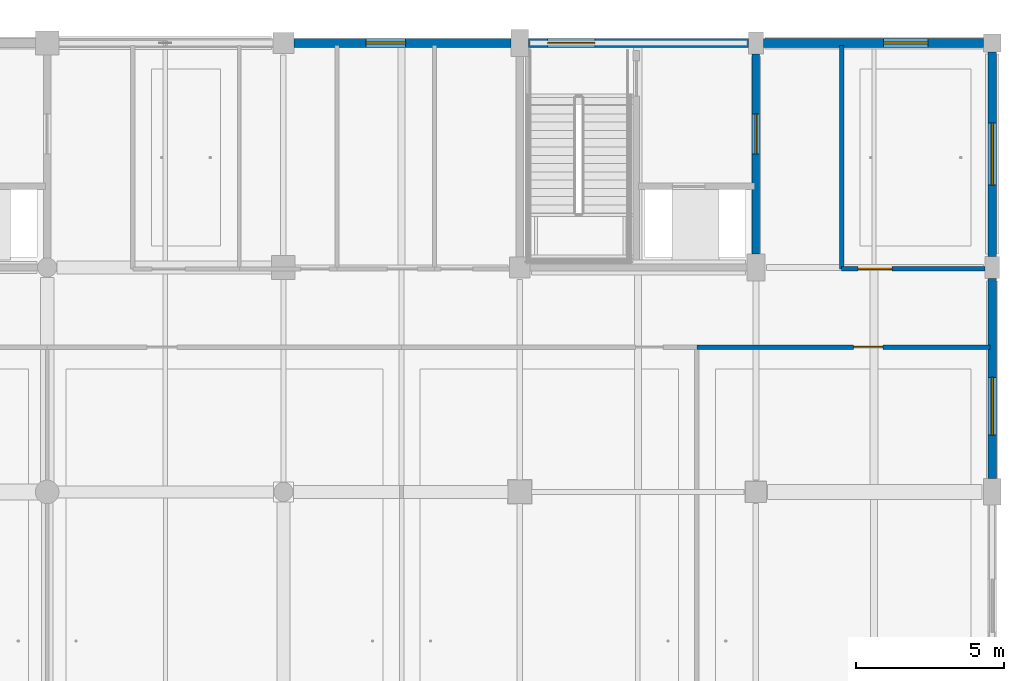
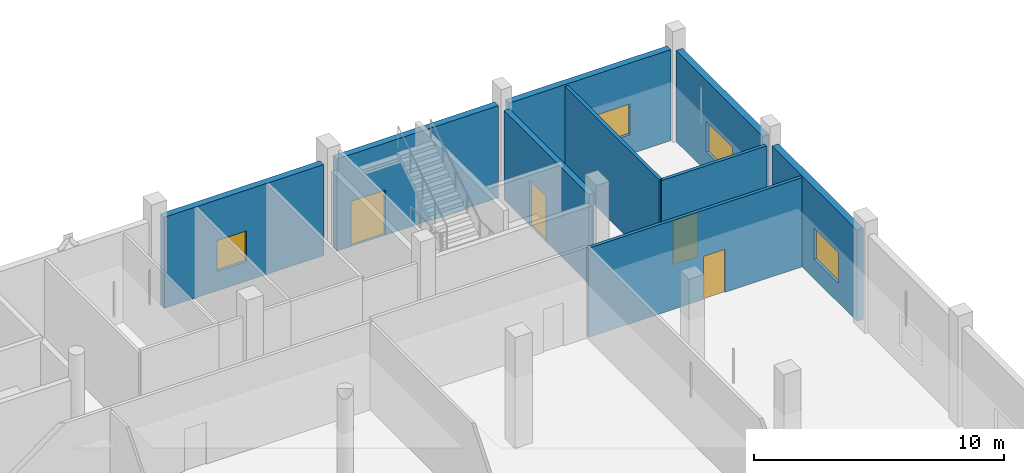
# One storey, part 71 of 126: 9 walls, 4 doors, 4 windows, 8 openings.
"""IFC4 building model written with IfcOpenShell, lengths in metres."""

from ifc_helpers import new_model, si_unit, direction, frame, frame_2d, origin, place, context, subcontext, project, spatial, rectangle, extrude, material, layer, layer_set, type_object, element, fill, save


model = new_model("IFC4")

# Units and contexts
model_context = context("Model", 3, precision=1e-05, world=origin(), true_north=direction((0.0, 1.0)))
body_context = subcontext(model_context, "Body", "Model", "MODEL_VIEW")
ifc_project = project(units=[si_unit("LENGTHUNIT", "METRE"), si_unit("AREAUNIT", "SQUARE_METRE"), si_unit("VOLUMEUNIT", "CUBIC_METRE"), si_unit("PLANEANGLEUNIT", "RADIAN"), si_unit("MASSUNIT", "GRAM", prefix="KILO")], contexts=[model_context])

# Site, building, storey
site_placement = place(None, origin())
site = spatial("IfcSite", under=ifc_project, at=site_placement, CompositionType="ELEMENT")
building_placement = place(site_placement, origin())
building = spatial("IfcBuilding", under=site, at=building_placement, Name="Khelvaren Railside Concert Hall", CompositionType="ELEMENT")
storey_placement = place(building_placement, origin())
storey = spatial("IfcBuildingStorey", under=building, at=storey_placement, Name="L00", CompositionType="ELEMENT", Elevation=0.0)

# Wall, opening, door
ifc_material_1 = material(Name="Concrete C40/50", Category="concrete")
ifc_layer_1 = layer(ifc_material_1, 0.25)
ifc_layer_set_1 = layer_set([ifc_layer_1], Name="Concrete C40/50")
wall_type_1 = type_object("IfcWallType", Name="CW82", PredefinedType="SOLIDWALL", material=ifc_layer_set_1)
wall_1_placement = place(storey_placement, frame((176.0, 106.85009765625, 0.0), z_axis=(0.0, 0.0, 1.0), x_axis=(0.0, 1.0, 0.0)))
wall_1 = element("IfcWall", 1, at=wall_1_placement, inside=storey, type_object=wall_type_1, Name="Core Enclosure Wall CWALL-ST-10-L00-E", PredefinedType="SOLIDWALL", context=body_context, shape_type="SweptSolid", body=[
    extrude(rectangle(XDim=6.77490234375, YDim=0.25, at=frame_2d((3.387451171875, 0.0))), origin(), (0.0, 0.0, 1.0), 4.35009765625),
])
opening_1_placement = place(wall_1_placement, frame((3.39990234375, 0.0, 0.0)))
opening_1 = element("IfcOpeningElement", 2, at=opening_1_placement, cuts=wall_1, Name="Opening FDR34", PredefinedType="OPENING", context=body_context, shape_type="SweptSolid", body=[
    extrude(rectangle(XDim=1.35009765625, YDim=2.199951171875, at=frame_2d((0.675048828125, 1.10009765625))), frame((0.0, 0.135009765625, 0.0), z_axis=(0.0, -1.0, 0.0), x_axis=(1.0, 0.0, 0.0)), (0.0, 0.0, 1.0), 0.27001953125),
])
ifc_material_2 = material(Name="Acoustic fire-rated timber-core steel frame door", Category="steel")
door_type_1 = type_object("IfcDoorType", Name="FDR34", OperationType="NOTDEFINED", PredefinedType="DOOR", material=ifc_material_2)
door_1_placement = place(opening_1_placement, origin())
door_1 = element("IfcDoor", 3, at=door_1_placement, inside=storey, type_object=door_type_1, Name="Interior Door DR-ST-10-L00-LOB", OperationType="SINGLE_SWING_LEFT", OverallHeight=2.199951171875, OverallWidth=1.35009765625, PredefinedType="DOOR", context=body_context, shape_type="SweptSolid", body=[
    extrude(rectangle(XDim=1.35009765625, YDim=2.199951171875, at=frame_2d((0.675048828125, 1.10009765625))), frame((0.0, 0.02490234375, 0.0), z_axis=(0.0, -1.0, 0.0), x_axis=(1.0, 0.0, 0.0)), (0.0, 0.0, 1.0), 0.050048828125),
])
fill(opening_1, door_1)

# Wall, opening, window
ifc_material_3 = material(Name="Board-marked architectural concrete C40/50", Category="concrete")
ifc_layer_2 = layer(ifc_material_3, 0.300048828125)
ifc_layer_set_2 = layer_set([ifc_layer_2], Name="Board-marked architectural concrete C40/50")
wall_type_2 = type_object("IfcWallType", Name="EW54", PredefinedType="SOLIDWALL", material=ifc_layer_set_2)
wall_2_placement = place(storey_placement, frame((160.35009765625, 114.0, 0.0), z_axis=(0.0, 0.0, 1.0), x_axis=(1.0, 0.0, 0.0)))
wall_2 = element("IfcWall", 4, at=wall_2_placement, inside=storey, type_object=wall_type_2, Name="V5 L00 Exterior Concrete Wall N-160", PredefinedType="SOLIDWALL", context=body_context, shape_type="SweptSolid", body=[
    extrude(rectangle(XDim=7.349853515625, YDim=0.300048828125, at=frame_2d((3.6748046875, 0.0))), origin(), (0.0, 0.0, 1.0), 4.43994140625),
])
opening_2_placement = place(wall_2_placement, frame((2.4384765625, 0.0, 0.949951171875)))
opening_2 = element("IfcOpeningElement", 5, at=opening_2_placement, cuts=wall_2, Name="Opening WN88", PredefinedType="OPENING", context=body_context, shape_type="SweptSolid", body=[
    extrude(rectangle(XDim=1.35009765625, YDim=1.5, at=frame_2d((0.675048828125, 0.75))), frame((0.0, 0.159912109375, 0.0), z_axis=(0.0, -1.0, 0.0), x_axis=(1.0, 0.0, 0.0)), (0.0, 0.0, 1.0), 0.320068359375),
])
ifc_material_4 = material(Name="Triple-glazed acoustic aluminium window", Category="aluminium")
window_type_1 = type_object("IfcWindowType", Name="WN88", PartitioningType="SINGLE_PANEL", PredefinedType="WINDOW", material=ifc_material_4)
window_1_placement = place(opening_2_placement, origin())
window_1 = element("IfcWindow", 6, at=window_1_placement, inside=storey, type_object=window_type_1, Name="Acoustic Facade Window EW-V5-L00-N-160", OverallHeight=1.5, OverallWidth=1.35009765625, PartitioningType="SINGLE_PANEL", PredefinedType="WINDOW", context=body_context, shape_type="SweptSolid", body=[
    extrude(rectangle(XDim=1.35009765625, YDim=1.5, at=frame_2d((0.675048828125, 0.75))), frame((0.0, 0.030029296875, 0.0), z_axis=(0.0, -1.0, 0.0), x_axis=(1.0, 0.0, 0.0)), (0.0, 0.0, 1.0), 0.06005859375),
])
fill(opening_2, window_1)

# Wall, opening, door
wall_3_placement = place(storey_placement, frame((168.300048828125, 114.0, 0.0), z_axis=(0.0, 0.0, 1.0), x_axis=(1.0, 0.0, 0.0)))
wall_3 = element("IfcWall", 7, at=wall_3_placement, inside=storey, type_object=wall_type_2, Name="V5 L00 Exterior Concrete Wall N-168", PredefinedType="SOLIDWALL", context=body_context, shape_type="SweptSolid", body=[
    extrude(rectangle(XDim=7.449951171875, YDim=0.300048828125, at=frame_2d((3.72509765625, 0.0))), origin(), (0.0, 0.0, 1.0), 4.489990234375),
])
opening_3_placement = place(wall_3_placement, frame((0.64990234375, 0.0, 0.0)))
opening_3 = element("IfcOpeningElement", 8, at=opening_3_placement, cuts=wall_3, Name="Opening E-ST10", PredefinedType="OPENING", context=body_context, shape_type="SweptSolid", body=[
    extrude(rectangle(XDim=1.60009765625, YDim=2.199951171875, at=frame_2d((0.800048828125, 1.10009765625))), frame((0.0, 0.159912109375, 0.0), z_axis=(0.0, -1.0, 0.0), x_axis=(1.0, 0.0, 0.0)), (0.0, 0.0, 1.0), 0.320068359375),
])
ifc_material_5 = material(Name="Acoustic thermally broken steel exit door", Category="steel")
door_type_2 = type_object("IfcDoorType", Name="EDR80", OperationType="NOTDEFINED", PredefinedType="DOOR", material=ifc_material_5)
door_2_placement = place(opening_3_placement, origin())
door_2 = element("IfcDoor", 9, at=door_2_placement, inside=storey, type_object=door_type_2, Name="Final Stair Exit Door E-ST10", OperationType="SINGLE_SWING_LEFT", OverallHeight=2.199951171875, OverallWidth=1.60009765625, PredefinedType="DOOR", context=body_context, shape_type="SweptSolid", body=[
    extrude(rectangle(XDim=1.60009765625, YDim=2.199951171875, at=frame_2d((0.800048828125, 1.10009765625))), frame((0.0, 0.02490234375, 0.0), z_axis=(0.0, -1.0, 0.0), x_axis=(1.0, 0.0, 0.0)), (0.0, 0.0, 1.0), 0.050048828125),
])
fill(opening_3, door_2)

# Wall, opening, window
wall_4_placement = place(storey_placement, frame((176.25, 114.0, 0.0), z_axis=(0.0, 0.0, 1.0), x_axis=(1.0, 0.0, 0.0)))
wall_4 = element("IfcWall", 10, at=wall_4_placement, inside=storey, type_object=wall_type_2, Name="V5 L00 Exterior Concrete Wall N-176", PredefinedType="SOLIDWALL", context=body_context, shape_type="SweptSolid", body=[
    extrude(rectangle(XDim=7.449951171875, YDim=0.300048828125, at=frame_2d((3.72509765625, 0.0))), origin(), (0.0, 0.0, 1.0), 4.43994140625),
])
opening_4_placement = place(wall_4_placement, frame((4.074951171875, 0.0, 0.949951171875)))
opening_4 = element("IfcOpeningElement", 11, at=opening_4_placement, cuts=wall_4, Name="Opening WN83", PredefinedType="OPENING", context=body_context, shape_type="SweptSolid", body=[
    extrude(rectangle(XDim=1.5, YDim=1.5, at=frame_2d((0.75, 0.75))), frame((0.0, 0.159912109375, 0.0), z_axis=(0.0, -1.0, 0.0), x_axis=(1.0, 0.0, 0.0)), (0.0, 0.0, 1.0), 0.320068359375),
])
window_type_2 = type_object("IfcWindowType", Name="WN83", PartitioningType="SINGLE_PANEL", PredefinedType="WINDOW", material=ifc_material_4)
window_2_placement = place(opening_4_placement, origin())
window_2 = element("IfcWindow", 12, at=window_2_placement, inside=storey, type_object=window_type_2, Name="Acoustic Facade Window EW-V5-L00-N-176", OverallHeight=1.5, OverallWidth=1.5, PartitioningType="SINGLE_PANEL", PredefinedType="WINDOW", context=body_context, shape_type="SweptSolid", body=[
    extrude(rectangle(XDim=1.5, YDim=1.5, at=frame_2d((0.75, 0.75))), frame((0.0, 0.030029296875, 0.0), z_axis=(0.0, -1.0, 0.0), x_axis=(1.0, 0.0, 0.0)), (0.0, 0.0, 1.0), 0.06005859375),
])
fill(opening_4, window_2)

wall_5_placement = place(storey_placement, frame((184.0, 106.02490234375, 0.0), z_axis=(0.0, 0.0, 1.0), x_axis=(0.0, -1.0, 0.0)))
wall_5 = element("IfcWall", 13, at=wall_5_placement, inside=storey, type_object=wall_type_2, Name="V5 L00 Exterior Concrete Wall E-99", PredefinedType="SOLIDWALL", context=body_context, shape_type="SweptSolid", body=[
    extrude(rectangle(XDim=6.77490234375, YDim=0.300048828125, at=frame_2d((3.387451171875, 0.0))), origin(), (0.0, 0.0, 1.0), 4.43994140625),
])
opening_5_placement = place(wall_5_placement, frame((3.35009765625, 0.0, 0.949951171875)))
opening_5 = element("IfcOpeningElement", 14, at=opening_5_placement, cuts=wall_5, Name="Opening WN74", PredefinedType="OPENING", context=body_context, shape_type="SweptSolid", body=[
    extrude(rectangle(XDim=1.949951171875, YDim=1.5, at=frame_2d((0.97509765625, 0.75))), frame((0.0, 0.159912109375, 0.0), z_axis=(0.0, -1.0, 0.0), x_axis=(1.0, 0.0, 0.0)), (0.0, 0.0, 1.0), 0.320068359375),
])
window_type_3 = type_object("IfcWindowType", Name="WN74", PartitioningType="DOUBLE_PANEL_VERTICAL", PredefinedType="WINDOW", material=ifc_material_4)
window_3_placement = place(opening_5_placement, origin())
window_3 = element("IfcWindow", 15, at=window_3_placement, inside=storey, type_object=window_type_3, Name="Acoustic Facade Window EW-V5-L00-E-99", OverallHeight=1.5, OverallWidth=1.949951171875, PartitioningType="DOUBLE_PANEL_VERTICAL", PredefinedType="WINDOW", context=body_context, shape_type="SweptSolid", body=[
    extrude(rectangle(XDim=1.949951171875, YDim=1.5, at=frame_2d((0.97509765625, 0.75))), frame((0.0, 0.030029296875, 0.0), z_axis=(0.0, -1.0, 0.0), x_axis=(1.0, 0.0, 0.0)), (0.0, 0.0, 1.0), 0.06005859375),
])
fill(opening_5, window_3)

wall_6_placement = place(storey_placement, frame((184.0, 113.699951171875, 0.0), z_axis=(0.0, 0.0, 1.0), x_axis=(0.0, -1.0, 0.0)))
wall_6 = element("IfcWall", 16, at=wall_6_placement, inside=storey, type_object=wall_type_2, Name="V5 L00 Exterior Concrete Wall E-106", PredefinedType="SOLIDWALL", context=body_context, shape_type="SweptSolid", body=[
    extrude(rectangle(XDim=6.925048828125, YDim=0.300048828125, at=frame_2d((3.46240234375, 0.0))), origin(), (0.0, 0.0, 1.0), 4.43994140625),
])
opening_6_placement = place(wall_6_placement, frame((2.41259765625, 0.0, 0.949951171875)))
opening_6 = element("IfcOpeningElement", 17, at=opening_6_placement, cuts=wall_6, Name="Opening WN75", PredefinedType="OPENING", context=body_context, shape_type="SweptSolid", body=[
    extrude(rectangle(XDim=2.10009765625, YDim=1.5, at=frame_2d((1.050048828125, 0.75))), frame((0.0, 0.159912109375, 0.0), z_axis=(0.0, -1.0, 0.0), x_axis=(1.0, 0.0, 0.0)), (0.0, 0.0, 1.0), 0.320068359375),
])
window_type_4 = type_object("IfcWindowType", Name="WN75", PartitioningType="DOUBLE_PANEL_VERTICAL", PredefinedType="WINDOW", material=ifc_material_4)
window_4_placement = place(opening_6_placement, origin())
window_4 = element("IfcWindow", 18, at=window_4_placement, inside=storey, type_object=window_type_4, Name="Acoustic Facade Window EW-V5-L00-E-106", OverallHeight=1.5, OverallWidth=2.10009765625, PartitioningType="DOUBLE_PANEL_VERTICAL", PredefinedType="WINDOW", context=body_context, shape_type="SweptSolid", body=[
    extrude(rectangle(XDim=2.10009765625, YDim=1.5, at=frame_2d((1.050048828125, 0.75))), frame((0.0, 0.030029296875, 0.0), z_axis=(0.0, -1.0, 0.0), x_axis=(1.0, 0.0, 0.0)), (0.0, 0.0, 1.0), 0.06005859375),
])
fill(opening_6, window_4)

# Wall, opening, door
ifc_material_6 = material(Name="Acoustic double-stud gypsum partition", Category="gypsum")
ifc_layer_3 = layer(ifc_material_6, 0.14990234375)
ifc_layer_set_3 = layer_set([ifc_layer_3], Name="Acoustic double-stud gypsum partition")
wall_type_3 = type_object("IfcWallType", Name="PT72", PredefinedType="PARTITIONING", material=ifc_layer_set_3)
wall_7_placement = place(storey_placement, frame((174.0, 103.699951171875, 0.0), z_axis=(0.0, 0.0, 1.0), x_axis=(1.0, 0.0, 0.0)))
wall_7 = element("IfcWall", 19, at=wall_7_placement, inside=storey, type_object=wall_type_3, Name="Acoustic Partition Wall PW-V5-L00-S-C04", PredefinedType="PARTITIONING", context=body_context, shape_type="SweptSolid", body=[
    extrude(rectangle(XDim=9.919921875, YDim=0.14990234375, at=frame_2d((4.9599609375, 0.0))), origin(), (0.0, 0.0, 1.0), 4.35009765625),
])
opening_7_placement = place(wall_7_placement, frame((5.30810546875, 0.0, 0.0)))
opening_7 = element("IfcOpeningElement", 20, at=opening_7_placement, cuts=wall_7, Name="Opening IDR79", PredefinedType="OPENING", context=body_context, shape_type="SweptSolid", body=[
    extrude(rectangle(XDim=0.989990234375, YDim=2.10009765625, at=frame_2d((0.4951171875, 1.050048828125))), frame((0.0, 0.0849609375, 0.0), z_axis=(0.0, -1.0, 0.0), x_axis=(1.0, 0.0, 0.0)), (0.0, 0.0, 1.0), 0.169921875),
])
ifc_material_7 = material(Name="Solid oak acoustic studio door", Category="wood")
door_type_3 = type_object("IfcDoorType", Name="IDR79", OperationType="NOTDEFINED", PredefinedType="DOOR", material=ifc_material_7)
door_3_placement = place(opening_7_placement, origin())
door_3 = element("IfcDoor", 21, at=door_3_placement, inside=storey, type_object=door_type_3, Name="Interior Door DR-V5-L00-S-04", OperationType="SINGLE_SWING_RIGHT", OverallHeight=2.10009765625, OverallWidth=0.989990234375, PredefinedType="DOOR", context=body_context, shape_type="SweptSolid", body=[
    extrude(rectangle(XDim=0.989990234375, YDim=2.10009765625, at=frame_2d((0.4951171875, 1.050048828125))), frame((0.0, 0.02490234375, 0.0), z_axis=(0.0, -1.0, 0.0), x_axis=(1.0, 0.0, 0.0)), (0.0, 0.0, 1.0), 0.050048828125),
])
fill(opening_7, door_3)

wall_8_placement = place(storey_placement, frame((178.89990234375, 106.35009765625, 0.0), z_axis=(0.0, 0.0, 1.0), x_axis=(1.0, 0.0, 0.0)))
wall_8 = element("IfcWall", 22, at=wall_8_placement, inside=storey, type_object=wall_type_3, Name="Acoustic Partition Wall PW-V5-L00-NE-C01", PredefinedType="PARTITIONING", context=body_context, shape_type="SweptSolid", body=[
    extrude(rectangle(XDim=4.85009765625, YDim=0.14990234375, at=frame_2d((2.425048828125, 0.0))), origin(), (0.0, 0.0, 1.0), 4.324951171875),
])
opening_8_placement = place(wall_8_placement, frame((0.56103515625, 0.0, 0.0)))
opening_8 = element("IfcOpeningElement", 23, at=opening_8_placement, cuts=wall_8, Name="Opening IDR73", PredefinedType="OPENING", context=body_context, shape_type="SweptSolid", body=[
    extrude(rectangle(XDim=1.14990234375, YDim=2.14990234375, at=frame_2d((0.574951171875, 1.074951171875))), frame((0.0, 0.0849609375, 0.0), z_axis=(0.0, -1.0, 0.0), x_axis=(1.0, 0.0, 0.0)), (0.0, 0.0, 1.0), 0.169921875),
])
door_type_4 = type_object("IfcDoorType", Name="IDR73", OperationType="NOTDEFINED", PredefinedType="DOOR", material=ifc_material_7)
door_4_placement = place(opening_8_placement, origin())
door_4 = element("IfcDoor", 24, at=door_4_placement, inside=storey, type_object=door_type_4, Name="Interior Door DR-V5-L00-NE-01", OperationType="SINGLE_SWING_RIGHT", OverallHeight=2.14990234375, OverallWidth=1.14990234375, PredefinedType="DOOR", context=body_context, shape_type="SweptSolid", body=[
    extrude(rectangle(XDim=1.14990234375, YDim=2.14990234375, at=frame_2d((0.574951171875, 1.074951171875))), frame((0.0, 0.02490234375, 0.0), z_axis=(0.0, -1.0, 0.0), x_axis=(1.0, 0.0, 0.0)), (0.0, 0.0, 1.0), 0.050048828125),
])
fill(opening_8, door_4)

# Wall
wall_9_placement = place(storey_placement, frame((178.89990234375, 106.35009765625, 0.0), z_axis=(0.0, 0.0, 1.0), x_axis=(0.0, 1.0, 0.0)))
element("IfcWall", 25, at=wall_9_placement, inside=storey, type_object=wall_type_3, Name="Acoustic Partition Wall PW-V5-L00-NE-W0", PredefinedType="PARTITIONING", context=body_context, shape_type="SweptSolid", body=[
    extrude(rectangle(XDim=7.56982421875, YDim=0.14990234375, at=frame_2d((3.784912109375, 0.0))), origin(), (0.0, 0.0, 1.0), 4.35009765625),
])

save(model, "model.ifc")
